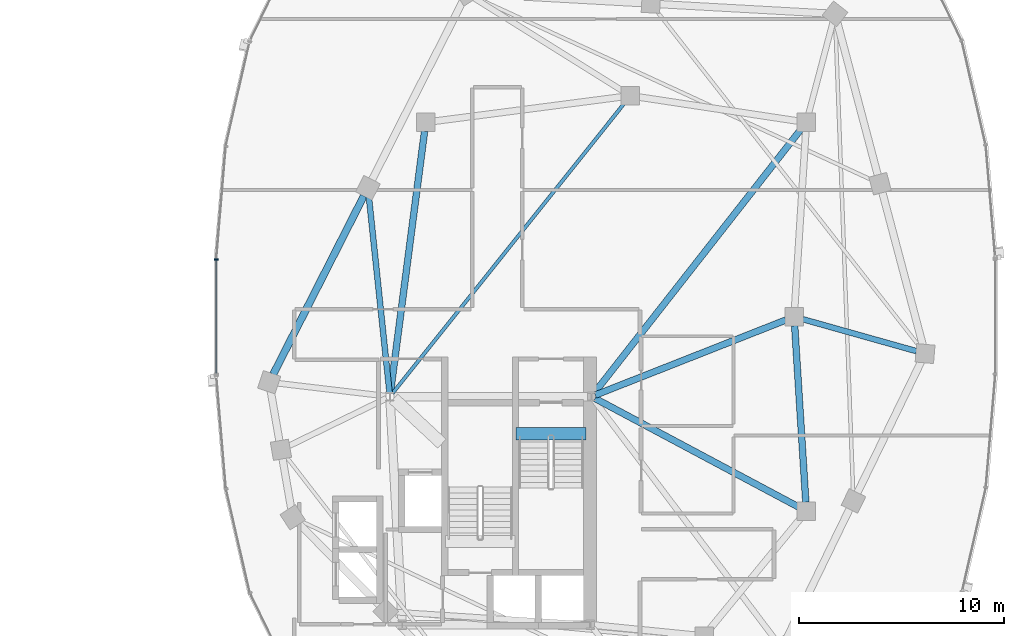
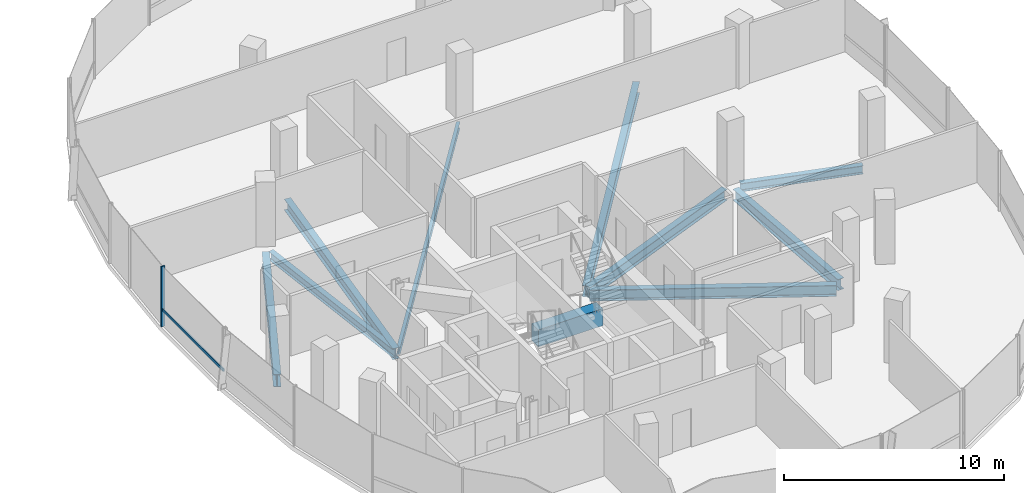
# One storey, part 9 of 25: 10 beams, 2 members, 1 element without a shape of its own.
"""IFC4 building model written with IfcOpenShell, lengths in metres."""

from ifc_helpers import new_model, si_unit, direction, frame, origin, origin_2d, place, context, subcontext, project, spatial, rectangle, i_section, extrude, material, material_profile, profile_set, type_object, element, aggregate, save


model = new_model("IFC4")

# Units and contexts
model_context = context("Model", 3, precision=1e-05, world=origin(), true_north=direction((0.0, 1.0)))
body_context = subcontext(model_context, "Body", "Model", "MODEL_VIEW")
ifc_project = project(units=[si_unit("LENGTHUNIT", "METRE"), si_unit("AREAUNIT", "SQUARE_METRE"), si_unit("VOLUMEUNIT", "CUBIC_METRE"), si_unit("PLANEANGLEUNIT", "RADIAN"), si_unit("MASSUNIT", "GRAM", prefix="KILO"), si_unit("THERMODYNAMICTEMPERATUREUNIT", "KELVIN"), si_unit("POWERUNIT", "WATT")], contexts=[model_context])

# Site, building, storey
site_placement = place(None, origin())
site = spatial("IfcSite", under=ifc_project, at=site_placement, CompositionType="ELEMENT")
building_placement = place(site_placement, origin())
building = spatial("IfcBuilding", under=site, at=building_placement, Name="Cundina Bronze Exchange", CompositionType="ELEMENT")
storey_placement = place(building_placement, frame((0.0, 0.0, 220.60009765625)))
storey = spatial("IfcBuildingStorey", under=building, at=storey_placement, Name="L58", CompositionType="ELEMENT", Elevation=220.60009765625)

# Beams
ifc_material_1 = material(Name="Concrete C60/75", Category="concrete")
ifc_material_profile_1 = material_profile(ifc_material_1, rectangle(XDim=0.60009765625, YDim=0.949951171875, at=origin_2d()), Name="RC600X950", Category="concrete")
ifc_profile_set_1 = profile_set([ifc_material_profile_1], Name="Concrete C60/75")
beam_type_1 = type_object("IfcBeamType", Name="BM-COUP-RC950", PredefinedType="LINTEL", material=ifc_profile_set_1)
beam_1_placement = place(storey_placement, frame((27.6201171875, -5.719970703125, -0.47509765625), z_axis=(1.0, 0.0, 0.0), x_axis=(0.0, 1.0, 0.0)))
element("IfcBeam", 1, at=beam_1_placement, inside=storey, type_object=beam_type_1, Name="L58 Stair E1 Landing Header Beam", PredefinedType="LINTEL", context=body_context, shape_type="SweptSolid", body=[
    extrude(rectangle(XDim=0.60009765625, YDim=0.949951171875, at=origin_2d()), origin(), (0.0, 0.0, 1.0), 3.39990234375),
])
ifc_material_2 = material(Name="Steel ASTM A992 Grade 50", Category="steel")
ifc_material_profile_2 = material_profile(ifc_material_2, i_section(OverallWidth=0.280029296875, OverallDepth=0.462890625, WebThickness=0.0107421875, FlangeThickness=0.017333984375, FilletRadius=0.011962890625, at=origin_2d()), Name="W18X76", Category="steel")
ifc_profile_set_2 = profile_set([ifc_material_profile_2], Name="Steel ASTM A992 Grade 50")
beam_type_2 = type_object("IfcBeamType", Name="BM-FLR-W18A", PredefinedType="BEAM", material=ifc_profile_set_2)
beam_2_placement = place(storey_placement, frame((41.62158203125, -0.11865234375, -0.49169921875), z_axis=(0.96265679604, -0.270724755127, 0.0), x_axis=(0.270724755127, 0.96265679604, 0.0)))
element("IfcBeam", 2, at=beam_2_placement, inside=storey, type_object=beam_type_2, Name="L58 Leg E Chordal Floor Beam 08", PredefinedType="BEAM", context=body_context, shape_type="SweptSolid", body=[
    extrude(i_section(OverallWidth=0.280029296875, OverallDepth=0.462890625, WebThickness=0.0107421875, FlangeThickness=0.017333984375, FilletRadius=0.011962890625, at=origin_2d()), origin(), (0.0, 0.0, 1.0), 5.7724609375),
])
beam_3_placement = place(storey_placement, frame((21.429443359375, -3.705078125, -0.49169921875), z_axis=(-0.104810251666, 0.994492237851, 0.0), x_axis=(-0.994492237851, -0.104810251666, 0.0)))
element("IfcBeam", 3, at=beam_3_placement, inside=storey, type_object=beam_type_2, Name="L58 Leg E Chordal Floor Beam 13", PredefinedType="BEAM", context=body_context, shape_type="SweptSolid", body=[
    extrude(i_section(OverallWidth=0.280029296875, OverallDepth=0.462890625, WebThickness=0.0107421875, FlangeThickness=0.017333984375, FilletRadius=0.011962890625, at=origin_2d()), origin(), (0.0, 0.0, 1.0), 9.62255859375),
])
ifc_material_profile_3 = material_profile(ifc_material_2, i_section(OverallWidth=0.172119140625, OverallDepth=0.35791015625, WebThickness=0.0078125, FlangeThickness=0.01318359375, FilletRadius=0.010009765625, at=origin_2d()), Name="W14X38", Category="steel")
ifc_profile_set_3 = profile_set([ifc_material_profile_3], Name="Steel ASTM A992 Grade 50")
beam_type_3 = type_object("IfcBeamType", Name="BM-JST-W14", PredefinedType="JOIST", material=ifc_profile_set_3)
beam_4_placement = place(storey_placement, frame((21.572509765625, -3.746826171875, -0.439208984375), z_axis=(0.624364266872, 0.781133319129, 0.0), x_axis=(-0.781133319129, 0.624364266872, 0.0)))
element("IfcBeam", 4, at=beam_4_placement, inside=storey, type_object=beam_type_3, Name="L58 E Interior Core-to-Ring Joist 2", PredefinedType="JOIST", context=body_context, shape_type="SweptSolid", body=[
    extrude(i_section(OverallWidth=0.172119140625, OverallDepth=0.35791015625, WebThickness=0.0078125, FlangeThickness=0.01318359375, FilletRadius=0.010009765625, at=origin_2d()), origin(), (0.0, 0.0, 1.0), 18.184814453125),
])
ifc_material_profile_4 = material_profile(ifc_material_2, i_section(OverallWidth=0.324951171875, OverallDepth=0.615966796875, WebThickness=0.013916015625, FlangeThickness=0.021484375, FilletRadius=0.01611328125, at=origin_2d()), Name="W24X117", Category="steel")
ifc_profile_set_4 = profile_set([ifc_material_profile_4], Name="Steel ASTM A992 Grade 50")
beam_type_4 = type_object("IfcBeamType", Name="BM-RING-W24", PredefinedType="USERDEFINED", material=ifc_profile_set_4)
beam_5_placement = place(storey_placement, frame((41.7724609375, -9.06298828125, -0.568115234375), z_axis=(-0.063046519736, 0.998010589297, 0.0), x_axis=(-0.998010589297, -0.063046519736, 0.0)))
element("IfcBeam", 5, at=beam_5_placement, inside=storey, type_object=beam_type_4, Name="L58 E Inner Structural Ring Girder 03", ObjectType="GIRDER", PredefinedType="USERDEFINED", context=body_context, shape_type="SweptSolid", body=[
    extrude(i_section(OverallWidth=0.324951171875, OverallDepth=0.615966796875, WebThickness=0.013916015625, FlangeThickness=0.021484375, FilletRadius=0.01611328125, at=origin_2d()), origin(), (0.0, 0.0, 1.0), 8.64306640625),
])
beam_6_placement = place(storey_placement, frame((23.143310546875, 9.065673828125, -0.568115234375), z_axis=(-0.129501251979, -0.991579258424, 0.0), x_axis=(0.991579258424, -0.129501251979, 0.0)))
element("IfcBeam", 6, at=beam_6_placement, inside=storey, type_object=beam_type_4, Name="L58 E Inner Structural Ring Girder 07", ObjectType="GIRDER", PredefinedType="USERDEFINED", context=body_context, shape_type="SweptSolid", body=[
    extrude(i_section(OverallWidth=0.324951171875, OverallDepth=0.615966796875, WebThickness=0.013916015625, FlangeThickness=0.021484375, FilletRadius=0.01611328125, at=origin_2d()), origin(), (0.0, 0.0, 1.0), 12.8798828125),
])
beam_7_placement = place(storey_placement, frame((31.482421875, -3.828125, -0.568115234375), z_axis=(0.930404106569, 0.366535398673, 0.0), x_axis=(-0.366535398673, 0.930404106569, 0.0)))
element("IfcBeam", 7, at=beam_7_placement, inside=storey, type_object=beam_type_4, Name="L58 E Core-to-Waist Tie Beam 1", ObjectType="GIRDER", PredefinedType="USERDEFINED", context=body_context, shape_type="SweptSolid", body=[
    extrude(i_section(OverallWidth=0.324951171875, OverallDepth=0.615966796875, WebThickness=0.013916015625, FlangeThickness=0.021484375, FilletRadius=0.01611328125, at=origin_2d()), origin(), (0.0, 0.0, 1.0), 10.00634765625),
])
beam_8_placement = place(storey_placement, frame((31.472900390625, -3.9921875, -0.568115234375), z_axis=(0.882350541683, -0.470592734317, 0.0), x_axis=(0.470592734317, 0.882350541683, 0.0)))
element("IfcBeam", 8, at=beam_8_placement, inside=storey, type_object=beam_type_4, Name="L58 E Core-to-Waist Tie Beam 2", ObjectType="GIRDER", PredefinedType="USERDEFINED", context=body_context, shape_type="SweptSolid", body=[
    extrude(i_section(OverallWidth=0.324951171875, OverallDepth=0.615966796875, WebThickness=0.013916015625, FlangeThickness=0.021484375, FilletRadius=0.01611328125, at=origin_2d()), origin(), (0.0, 0.0, 1.0), 11.26611328125),
])
beam_9_placement = place(storey_placement, frame((31.4208984375, -3.74560546875, -0.568115234375), z_axis=(0.616782900053, 0.787133314123, 0.0), x_axis=(-0.787133314123, 0.616782900053, 0.0)))
element("IfcBeam", 9, at=beam_9_placement, inside=storey, type_object=beam_type_4, Name="L58 E Core-to-Waist Tie Beam 3", ObjectType="GIRDER", PredefinedType="USERDEFINED", context=body_context, shape_type="SweptSolid", body=[
    extrude(i_section(OverallWidth=0.324951171875, OverallDepth=0.615966796875, WebThickness=0.013916015625, FlangeThickness=0.021484375, FilletRadius=0.01611328125, at=origin_2d()), origin(), (0.0, 0.0, 1.0), 16.3896484375),
])
ifc_material_profile_5 = material_profile(ifc_material_2, i_section(OverallWidth=0.35498046875, OverallDepth=0.695068359375, WebThickness=0.015380859375, FlangeThickness=0.02490234375, FilletRadius=0.01806640625, at=origin_2d()), Name="W27X146", Category="steel")
ifc_profile_set_5 = profile_set([ifc_material_profile_5], Name="Steel ASTM A992 Grade 50")
beam_type_5 = type_object("IfcBeamType", Name="BM-RING-W27", PredefinedType="USERDEFINED", material=ifc_profile_set_5)
beam_10_placement = place(storey_placement, frame((20.1767578125, 5.909423828125, -0.607666015625), z_axis=(-0.452846871434, -0.891588308039, 0.0), x_axis=(0.891588308039, -0.452846871434, 0.0)))
element("IfcBeam", 10, at=beam_10_placement, inside=storey, type_object=beam_type_5, Name="L58 E Perimeter Ring Girder 13", ObjectType="GIRDER", PredefinedType="USERDEFINED", context=body_context, shape_type="SweptSolid", body=[
    extrude(i_section(OverallWidth=0.35498046875, OverallDepth=0.695068359375, WebThickness=0.015380859375, FlangeThickness=0.02490234375, FilletRadius=0.01806640625, at=origin_2d()), origin(), (0.0, 0.0, 1.0), 9.779052734375),
])

# Curtain wall, members
ifc_material_3 = material(Name="Anodised Bronze Aluminium 6063-T6", Category="aluminium")
curtain_wall_type = type_object("IfcCurtainWallType", Name="CWS-UPP-OFF", PredefinedType="NOTDEFINED", material=ifc_material_3)
curtain_wall_placement = place(storey_placement, origin())
curtain_wall = element("IfcCurtainWall", 11, at=curtain_wall_placement, inside=storey, type_object=curtain_wall_type, Name="L58 CW-05 Curtain Wall Run CWR-L58-E2", PredefinedType="NOTDEFINED")
ifc_material_profile_6 = material_profile(ifc_material_3, rectangle(XDim=0.070068359375, YDim=0.18994140625, at=origin_2d()), Name="AL70X190", Category="aluminium")
ifc_profile_set_6 = profile_set([ifc_material_profile_6], Name="Anodised Bronze Aluminium 6063-T6")
member_type_1 = type_object("IfcMemberType", Name="CWM-MUL-190", PredefinedType="MULLION", material=ifc_profile_set_6)
member_1_placement = place(storey_placement, frame((12.966064453125, 2.794921875, 0.0), z_axis=(0.0, 0.0, 1.0), x_axis=(0.0, -1.0, 0.0)))
member_1 = element("IfcMember", 12, at=member_1_placement, type_object=member_type_1, Name="CW-05 Mullion 7", PredefinedType="MULLION", context=body_context, shape_type="SweptSolid", body=[
    extrude(rectangle(XDim=0.070068359375, YDim=0.18994140625, at=origin_2d()), origin(), (0.0, 0.0, 1.0), 3.33984375),
])
ifc_material_profile_7 = material_profile(ifc_material_3, rectangle(XDim=0.06494140625, YDim=0.14990234375, at=origin_2d()), Name="AL65X150", Category="aluminium")
ifc_profile_set_7 = profile_set([ifc_material_profile_7], Name="Anodised Bronze Aluminium 6063-T6")
member_type_2 = type_object("IfcMemberType", Name="CWM-TRN-150", PredefinedType="USERDEFINED", material=ifc_profile_set_7)
member_2_placement = place(storey_placement, frame((12.966064453125, 2.756591796875, 0.919921875), z_axis=(0.0, -1.0, 0.0), x_axis=(1.0, 0.0, 0.0)))
member_2 = element("IfcMember", 13, at=member_2_placement, type_object=member_type_2, Name="CW-05 Spandrel Transom 7", ObjectType="TRANSOM", PredefinedType="USERDEFINED", context=body_context, shape_type="SweptSolid", body=[
    extrude(rectangle(XDim=0.06494140625, YDim=0.14990234375, at=origin_2d()), origin(), (0.0, 0.0, 1.0), 5.51318359375),
])
aggregate(curtain_wall, [member_1, member_2])

save(model, "model.ifc")
